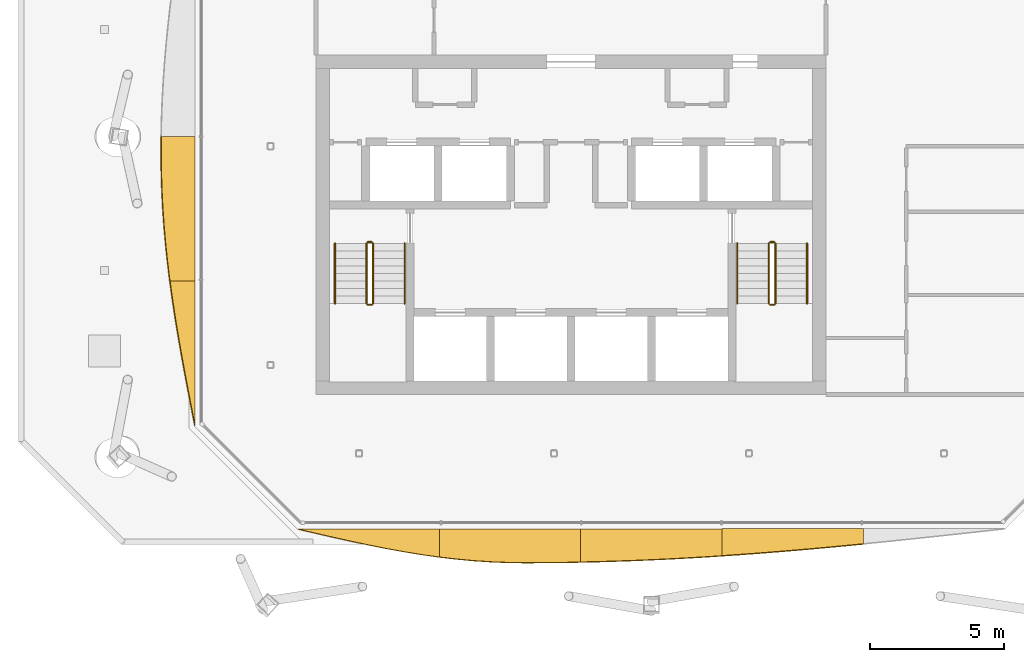
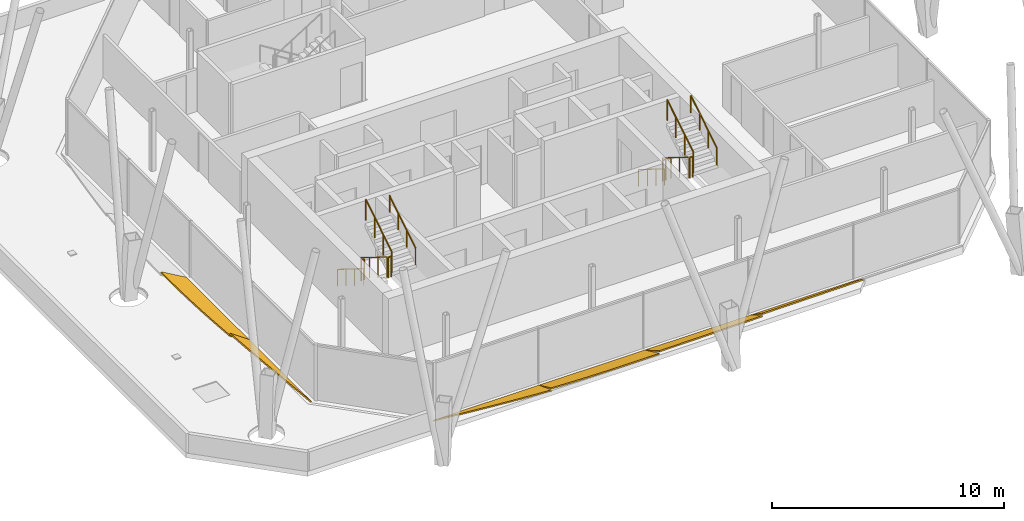
# One storey, part 13 of 17: 12 railings, 6 shading devices.
"""IFC4 building model written with IfcOpenShell, lengths in metres."""

from ifc_helpers import new_model, si_unit, direction, frame, origin, origin_2d, place, context, subcontext, project, spatial, polyline, circle, outline, extrude, material, layer, layer_set, type_object, element, save


model = new_model("IFC4")

# Units and contexts
model_context = context("Model", 3, precision=1e-05, world=origin(), true_north=direction((0.0, 1.0)))
body_context = subcontext(model_context, "Body", "Model", "MODEL_VIEW")
ifc_project = project(units=[si_unit("LENGTHUNIT", "METRE"), si_unit("AREAUNIT", "SQUARE_METRE"), si_unit("VOLUMEUNIT", "CUBIC_METRE"), si_unit("PLANEANGLEUNIT", "RADIAN"), si_unit("MASSUNIT", "GRAM", prefix="KILO")], contexts=[model_context])

# Site, building, storey
site_placement = place(None, origin())
site = spatial("IfcSite", under=ifc_project, at=site_placement, CompositionType="ELEMENT")
building_placement = place(site_placement, origin())
building = spatial("IfcBuilding", under=site, at=building_placement, Name="Tskaro Facet Tower", CompositionType="ELEMENT")
storey_placement = place(building_placement, frame((0.0, 0.0, 259.5)))
storey = spatial("IfcBuildingStorey", under=building, at=storey_placement, Name="L68", CompositionType="ELEMENT", Elevation=259.5)

# Shading devices
ifc_material_1 = material(Name="Bronze anodised aluminium 6063-T6", Category="aluminium")
ifc_layer = layer(ifc_material_1, 0.06005859375, Name="Bronze anodised aluminium 6063-T6")
ifc_layer_set = layer_set([ifc_layer], Name="Bronze anodised aluminium 6063-T6")
shading_device_type = type_object("IfcShadingDeviceType", Name="Bronze sun blade (FN1)", PredefinedType="USERDEFINED", material=ifc_layer_set)
shading_device_1_placement = place(storey_placement, frame((-10.174072265625, -17.0224609375, 0.056396484375), z_axis=(7.520988e-06, 0.341976112983, 0.939708645322), x_axis=(0.999999999972, -2.571998e-06, -7.067537e-06)))
element("IfcShadingDevice", 1, at=shading_device_1_placement, inside=storey, type_object=shading_device_type, Name="Fin blade south 1", ObjectType="FIN", PredefinedType="USERDEFINED", context=body_context, shape_type="SweptSolid", body=[
    extrude(outline(polyline([(0.0, 0.0), (5.269775390475957, 2.2318366902446378e-21), (5.269775390823779, -1.1116870364685456), (4.61108398456418, -1.0124430466665315), (3.9523925774916875, -0.8979099190597327), (3.2934570305537973, -0.7700900026200173), (2.6347656246891957, -0.6302973831512736), (1.9760742186502898, -0.4811602322612787), (1.317382812912024, -0.3249938102398551), (0.6586914066934841, -0.16365453526483884), (0.0, 0.0)])), origin(), (0.0, 0.0, -1.0), 0.06005859375),
])
shading_device_2_placement = place(storey_placement, frame((-4.904296875, -17.017578125, 0.054443359375), z_axis=(-1.8128571e-05, 0.422542522017, 0.906343101016), x_axis=(0.999999999836, 7.660092e-06, 1.6430706e-05)))
element("IfcShadingDevice", 2, at=shading_device_2_placement, inside=storey, type_object=shading_device_type, Name="Fin blade south 2", ObjectType="FIN", PredefinedType="USERDEFINED", context=body_context, shape_type="SweptSolid", body=[
    extrude(outline(polyline([(0.0, 0.0), (5.269531249134097, -4.463466585336137e-21), (5.269531250996332, -1.3627850484360564), (4.6108398430676, -1.375130062014521), (3.9521484369812847, -1.3832125542860423), (3.2934570324662626, -1.3864868151128231), (3.161621094987926, -1.3864868151128231), (2.6347656249411604, -1.3797170182880785), (1.9760742172774413, -1.3527409907845307), (1.3173828113452446, -1.305337457430997), (0.6586914055455543, -1.238273403536457), (-1.4495231449703969e-09, -1.1528615245476874), (0.0, 0.0)])), origin(), (0.0, 0.0, -1.0), 0.06005859375),
])
shading_device_3_placement = place(storey_placement, frame((0.365234375, -17.012939453125, 0.052001953125), z_axis=(9.35306e-06, 0.499957464408, 0.866049960276), x_axis=(0.999999999956, -4.676132e-06, -8.100217e-06)))
element("IfcShadingDevice", 3, at=shading_device_3_placement, inside=storey, type_object=shading_device_type, Name="Fin blade south 3", ObjectType="FIN", PredefinedType="USERDEFINED", context=body_context, shape_type="SweptSolid", body=[
    extrude(outline(polyline([(0.0, 0.0), (5.2695312497695115, 0.0), (5.269531249588777, -1.157779866986116), (4.61083984311103, -1.2065646300665374), (3.9521484361654715, -1.2508678461389262), (3.2934570321770016, -1.2913238291390594), (2.634765624601493, -1.327208887080407), (1.9760742188414404, -1.3590352739709068), (1.3173828134495333, -1.3860466159469422), (0.6586914064481805, -1.4083649729363525), (-1.0209849766844303e-09, -1.4262017829177303), (0.0, 0.0)])), origin(), (0.0, 0.0, -1.0), 0.06005859375),
])
shading_device_4_placement = place(storey_placement, frame((5.634765625, -17.008544921875, 0.049072265625), z_axis=(-1.3465397e-05, 0.573653211014, 0.819098280618), x_axis=(0.999999999909, 7.724468e-06, 1.1029484e-05)))
element("IfcShadingDevice", 4, at=shading_device_4_placement, inside=storey, type_object=shading_device_type, Name="Fin blade south 4", ObjectType="FIN", PredefinedType="USERDEFINED", context=body_context, shape_type="SweptSolid", body=[
    extrude(outline(polyline([(0.0, 0.0), (5.269531249522273, 0.0), (5.269531250608679, -0.683806681174809), (4.610839843096327, -0.761829700502581), (3.952148437207103, -0.8375526582334607), (3.2934570313272284, -0.9102954999281127), (2.6347656254567036, -0.9800582255865369), (1.97607421878864, -1.0465008079890659), (1.3173828113230381, -1.1096232471356995), (0.6586914060247222, -1.1686855654744006), (-8.780207448212262e-10, -1.224087713337539), (0.0, 0.0)])), origin(), (0.0, 0.0, -1.0), 0.06005859375),
])
shading_device_5_placement = place(storey_placement, frame((-14.012939453125, -2.3916015625, 0.052001953125), z_axis=(0.499954656202, 2.719388e-06, 0.866051581452), x_axis=(1.359571e-06, -0.999999999996, 2.355131e-06)))
element("IfcShadingDevice", 5, at=shading_device_5_placement, inside=storey, type_object=shading_device_type, Name="Fin blade west 3", ObjectType="FIN", PredefinedType="USERDEFINED", context=body_context, shape_type="SweptSolid", body=[
    extrude(outline(polyline([(0.0, 0.0), (5.391113281230067, 0.0), (5.391113281529334, -1.0760788448939604), (4.717285156130443, -1.171558006044565), (4.043457031293668, -1.2544709592922016), (3.3693847656648397, -1.323817211787023), (2.6955566406716955, -1.3785068915470406), (2.0217285154461804, -1.4182065009556386), (1.3476562500271478, -1.4424931632640594), (0.6738281248465566, -1.4509113216134504), (0.6467285154716568, -1.4509113216134504), (1.6276412080705874e-10, -1.445339902461269), (0.0, 0.0)])), origin(), (0.0, 0.0, -1.0), 0.06005859375),
])
shading_device_6_placement = place(storey_placement, frame((-14.008544921875, -7.78271484375, 0.049072265625), z_axis=(0.573650559188, 9.245379e-06, 0.81910013787), x_axis=(5.303617e-06, -0.999999999957, 7.572891e-06)))
element("IfcShadingDevice", 6, at=shading_device_6_placement, inside=storey, type_object=shading_device_type, Name="Fin blade west 4", ObjectType="FIN", PredefinedType="USERDEFINED", context=body_context, shape_type="SweptSolid", body=[
    extrude(outline(polyline([(0.0, 0.0), (5.391357421644582, 0.0), (4.717285155893326, -0.16004623640591345), (4.043457032435457, -0.3181324378503567), (3.369628906581046, -0.47275844482461893), (2.6955566399275224, -0.6223042493928932), (2.021728515947284, -0.7651498436193727), (1.3479003912452303, -0.8995950923757408), (0.6738281229802847, -1.0242798875593442), (-3.8262661307345155e-10, -1.1376643484268858), (0.0, 0.0)])), origin(), (0.0, 0.0, -1.0), 0.06005859375),
])

# Railings
ifc_material_2 = material(Name="Stainless steel", Category="steel")
railing_type_1 = type_object("IfcRailingType", Name="RL-GUARD-1100", PredefinedType="GUARDRAIL", material=ifc_material_2)
railing_1_placement = place(storey_placement, frame((-7.625, -6.375, 0.175048828125)))
element("IfcRailing", 7, at=railing_1_placement, inside=storey, type_object=railing_type_1, Name="L68 ST-1 stair guard 1", PredefinedType="GUARDRAIL", context=body_context, shape_type="SweptSolid", body=[
    extrude(circle(Radius=0.02392578125, at=origin_2d()), frame((0.0, 0.0, 1.076171875), z_axis=(0.0, -0.848013881152, 0.529974015752), x_axis=(1.0, 0.0, 0.0)), (0.0, 0.0, 1.0), 2.641357421875),
    extrude(circle(Radius=0.02099609375, at=origin_2d()), origin(), (0.0, 0.0, 1.0), 1.052001953125),
    extrude(circle(Radius=0.02099609375, at=origin_2d()), frame((0.0, -0.74658203125, 0.466552734375)), (0.0, 0.0, 1.0), 1.052001953125),
    extrude(circle(Radius=0.02099609375, at=origin_2d()), frame((0.0, -1.493408203125, 0.933349609375)), (0.0, 0.0, 1.0), 1.052001953125),
    extrude(circle(Radius=0.02099609375, at=origin_2d()), frame((0.0, -2.239990234375, 1.39990234375)), (0.0, 0.0, 1.0), 1.052001953125),
])
railing_2_placement = place(storey_placement, frame((-7.574951171875, -8.6650390625, 1.574951171875)))
element("IfcRailing", 8, at=railing_2_placement, inside=storey, type_object=railing_type_1, Name="L68 ST-1 stair guard 2", PredefinedType="GUARDRAIL", context=body_context, shape_type="SweptSolid", body=[
    extrude(circle(Radius=0.02392578125, at=origin_2d()), frame((0.0, 0.0, 1.076171875), z_axis=(1.0, 0.0, 0.0), x_axis=(0.0, 1.0, 0.0)), (0.0, 0.0, 1.0), 0.14990234375),
    extrude(circle(Radius=0.02099609375, at=origin_2d()), origin(), (0.0, 0.0, 1.0), 1.052001953125),
    extrude(circle(Radius=0.02099609375, at=origin_2d()), frame((0.14990234375, 0.0, 0.0)), (0.0, 0.0, 1.0), 1.052001953125),
])
railing_3_placement = place(storey_placement, frame((-7.375, -8.614990234375, 1.75)))
element("IfcRailing", 9, at=railing_3_placement, inside=storey, type_object=railing_type_1, Name="L68 ST-1 stair guard 3", PredefinedType="GUARDRAIL", context=body_context, shape_type="SweptSolid", body=[
    extrude(circle(Radius=0.02392578125, at=origin_2d()), frame((0.0, 0.0, 1.076171875), z_axis=(0.0, 0.848013881152, 0.529974015752), x_axis=(-1.0, 0.0, 0.0)), (0.0, 0.0, 1.0), 2.641357421875),
    extrude(circle(Radius=0.02099609375, at=origin_2d()), origin(), (0.0, 0.0, 1.0), 1.052001953125),
    extrude(circle(Radius=0.02099609375, at=origin_2d()), frame((0.0, 0.74658203125, 0.466552734375)), (0.0, 0.0, 1.0), 1.052001953125),
    extrude(circle(Radius=0.02099609375, at=origin_2d()), frame((0.0, 1.493408203125, 0.933349609375)), (0.0, 0.0, 1.0), 1.052001953125),
    extrude(circle(Radius=0.02099609375, at=origin_2d()), frame((0.0, 2.239990234375, 1.39990234375)), (0.0, 0.0, 1.0), 1.052001953125),
])
railing_4_placement = place(storey_placement, frame((-7.574951171875, -6.324951171875, 0.0)))
element("IfcRailing", 10, at=railing_4_placement, inside=storey, type_object=railing_type_1, Name="L68 ST-1 stair guard 4", PredefinedType="GUARDRAIL", context=body_context, shape_type="SweptSolid", body=[
    extrude(circle(Radius=0.02392578125, at=origin_2d()), frame((0.0, 0.0, 1.076171875), z_axis=(1.0, 0.0, 0.0), x_axis=(0.0, 1.0, 0.0)), (0.0, 0.0, 1.0), 0.14990234375),
    extrude(circle(Radius=0.02099609375, at=origin_2d()), origin(), (0.0, 0.0, 1.0), 1.052001953125),
    extrude(circle(Radius=0.02099609375, at=origin_2d()), frame((0.14990234375, 0.0, 0.0)), (0.0, 0.0, 1.0), 1.052001953125),
])
railing_5_placement = place(storey_placement, frame((7.375, -6.375, 0.175048828125)))
element("IfcRailing", 11, at=railing_5_placement, inside=storey, type_object=railing_type_1, Name="L68 ST-2 stair guard 1", PredefinedType="GUARDRAIL", context=body_context, shape_type="SweptSolid", body=[
    extrude(circle(Radius=0.02392578125, at=origin_2d()), frame((0.0, 0.0, 1.076171875), z_axis=(0.0, -0.848013881152, 0.529974015752), x_axis=(1.0, 0.0, 0.0)), (0.0, 0.0, 1.0), 2.641357421875),
    extrude(circle(Radius=0.02099609375, at=origin_2d()), origin(), (0.0, 0.0, 1.0), 1.052001953125),
    extrude(circle(Radius=0.02099609375, at=origin_2d()), frame((0.0, -0.74658203125, 0.466552734375)), (0.0, 0.0, 1.0), 1.052001953125),
    extrude(circle(Radius=0.02099609375, at=origin_2d()), frame((0.0, -1.493408203125, 0.933349609375)), (0.0, 0.0, 1.0), 1.052001953125),
    extrude(circle(Radius=0.02099609375, at=origin_2d()), frame((0.0, -2.239990234375, 1.39990234375)), (0.0, 0.0, 1.0), 1.052001953125),
])
railing_6_placement = place(storey_placement, frame((7.425048828125, -8.6650390625, 1.574951171875)))
element("IfcRailing", 12, at=railing_6_placement, inside=storey, type_object=railing_type_1, Name="L68 ST-2 stair guard 2", PredefinedType="GUARDRAIL", context=body_context, shape_type="SweptSolid", body=[
    extrude(circle(Radius=0.02392578125, at=origin_2d()), frame((0.0, 0.0, 1.076171875), z_axis=(1.0, 0.0, 0.0), x_axis=(0.0, 1.0, 0.0)), (0.0, 0.0, 1.0), 0.14990234375),
    extrude(circle(Radius=0.02099609375, at=origin_2d()), origin(), (0.0, 0.0, 1.0), 1.052001953125),
    extrude(circle(Radius=0.02099609375, at=origin_2d()), frame((0.14990234375, 0.0, 0.0)), (0.0, 0.0, 1.0), 1.052001953125),
])
railing_7_placement = place(storey_placement, frame((7.625, -8.614990234375, 1.75)))
element("IfcRailing", 13, at=railing_7_placement, inside=storey, type_object=railing_type_1, Name="L68 ST-2 stair guard 3", PredefinedType="GUARDRAIL", context=body_context, shape_type="SweptSolid", body=[
    extrude(circle(Radius=0.02392578125, at=origin_2d()), frame((0.0, 0.0, 1.076171875), z_axis=(0.0, 0.848013881152, 0.529974015752), x_axis=(-1.0, 0.0, 0.0)), (0.0, 0.0, 1.0), 2.641357421875),
    extrude(circle(Radius=0.02099609375, at=origin_2d()), origin(), (0.0, 0.0, 1.0), 1.052001953125),
    extrude(circle(Radius=0.02099609375, at=origin_2d()), frame((0.0, 0.74658203125, 0.466552734375)), (0.0, 0.0, 1.0), 1.052001953125),
    extrude(circle(Radius=0.02099609375, at=origin_2d()), frame((0.0, 1.493408203125, 0.933349609375)), (0.0, 0.0, 1.0), 1.052001953125),
    extrude(circle(Radius=0.02099609375, at=origin_2d()), frame((0.0, 2.239990234375, 1.39990234375)), (0.0, 0.0, 1.0), 1.052001953125),
])
railing_8_placement = place(storey_placement, frame((7.425048828125, -6.324951171875, 0.0)))
element("IfcRailing", 14, at=railing_8_placement, inside=storey, type_object=railing_type_1, Name="L68 ST-2 stair guard 4", PredefinedType="GUARDRAIL", context=body_context, shape_type="SweptSolid", body=[
    extrude(circle(Radius=0.02392578125, at=origin_2d()), frame((0.0, 0.0, 1.076171875), z_axis=(1.0, 0.0, 0.0), x_axis=(0.0, 1.0, 0.0)), (0.0, 0.0, 1.0), 0.14990234375),
    extrude(circle(Radius=0.02099609375, at=origin_2d()), origin(), (0.0, 0.0, 1.0), 1.052001953125),
    extrude(circle(Radius=0.02099609375, at=origin_2d()), frame((0.14990234375, 0.0, 0.0)), (0.0, 0.0, 1.0), 1.052001953125),
])
railing_type_2 = type_object("IfcRailingType", Name="RL-HANDRAIL-900", PredefinedType="HANDRAIL", material=ifc_material_2)
railing_9_placement = place(storey_placement, frame((-8.800048828125, -6.375, 0.175048828125)))
element("IfcRailing", 15, at=railing_9_placement, inside=storey, type_object=railing_type_2, Name="L68 ST-1 stair handrail 1", PredefinedType="HANDRAIL", context=body_context, shape_type="SweptSolid", body=[
    extrude(circle(Radius=0.02392578125, at=origin_2d()), frame((0.0, 0.0, 0.8759765625), z_axis=(0.0, -0.848013881152, 0.529974015752), x_axis=(1.0, 0.0, 0.0)), (0.0, 0.0, 1.0), 2.641357421875),
    extrude(circle(Radius=0.02099609375, at=origin_2d()), origin(), (0.0, 0.0, 1.0), 0.851806640625),
    extrude(circle(Radius=0.02099609375, at=origin_2d()), frame((0.0, -0.74658203125, 0.466552734375)), (0.0, 0.0, 1.0), 0.851806640625),
    extrude(circle(Radius=0.02099609375, at=origin_2d()), frame((0.0, -1.493408203125, 0.933349609375)), (0.0, 0.0, 1.0), 0.851806640625),
    extrude(circle(Radius=0.02099609375, at=origin_2d()), frame((0.0, -2.239990234375, 1.39990234375)), (0.0, 0.0, 1.0), 0.851806640625),
])
railing_10_placement = place(storey_placement, frame((-6.199951171875, -8.614990234375, 1.75)))
element("IfcRailing", 16, at=railing_10_placement, inside=storey, type_object=railing_type_2, Name="L68 ST-1 stair handrail 2", PredefinedType="HANDRAIL", context=body_context, shape_type="SweptSolid", body=[
    extrude(circle(Radius=0.02392578125, at=origin_2d()), frame((0.0, 0.0, 0.8759765625), z_axis=(0.0, 0.848013881152, 0.529974015752), x_axis=(-1.0, 0.0, 0.0)), (0.0, 0.0, 1.0), 2.641357421875),
    extrude(circle(Radius=0.02099609375, at=origin_2d()), origin(), (0.0, 0.0, 1.0), 0.851806640625),
    extrude(circle(Radius=0.02099609375, at=origin_2d()), frame((0.0, 0.74658203125, 0.466552734375)), (0.0, 0.0, 1.0), 0.851806640625),
    extrude(circle(Radius=0.02099609375, at=origin_2d()), frame((0.0, 1.493408203125, 0.933349609375)), (0.0, 0.0, 1.0), 0.851806640625),
    extrude(circle(Radius=0.02099609375, at=origin_2d()), frame((0.0, 2.239990234375, 1.39990234375)), (0.0, 0.0, 1.0), 0.851806640625),
])
railing_11_placement = place(storey_placement, frame((6.199951171875, -6.375, 0.175048828125)))
element("IfcRailing", 17, at=railing_11_placement, inside=storey, type_object=railing_type_2, Name="L68 ST-2 stair handrail 1", PredefinedType="HANDRAIL", context=body_context, shape_type="SweptSolid", body=[
    extrude(circle(Radius=0.02392578125, at=origin_2d()), frame((0.0, 0.0, 0.8759765625), z_axis=(0.0, -0.848013881152, 0.529974015752), x_axis=(1.0, 0.0, 0.0)), (0.0, 0.0, 1.0), 2.641357421875),
    extrude(circle(Radius=0.02099609375, at=origin_2d()), origin(), (0.0, 0.0, 1.0), 0.851806640625),
    extrude(circle(Radius=0.02099609375, at=origin_2d()), frame((0.0, -0.74658203125, 0.466552734375)), (0.0, 0.0, 1.0), 0.851806640625),
    extrude(circle(Radius=0.02099609375, at=origin_2d()), frame((0.0, -1.493408203125, 0.933349609375)), (0.0, 0.0, 1.0), 0.851806640625),
    extrude(circle(Radius=0.02099609375, at=origin_2d()), frame((0.0, -2.239990234375, 1.39990234375)), (0.0, 0.0, 1.0), 0.851806640625),
])
railing_12_placement = place(storey_placement, frame((8.800048828125, -8.614990234375, 1.75)))
element("IfcRailing", 18, at=railing_12_placement, inside=storey, type_object=railing_type_2, Name="L68 ST-2 stair handrail 2", PredefinedType="HANDRAIL", context=body_context, shape_type="SweptSolid", body=[
    extrude(circle(Radius=0.02392578125, at=origin_2d()), frame((0.0, 0.0, 0.8759765625), z_axis=(0.0, 0.848013881152, 0.529974015752), x_axis=(-1.0, 0.0, 0.0)), (0.0, 0.0, 1.0), 2.641357421875),
    extrude(circle(Radius=0.02099609375, at=origin_2d()), origin(), (0.0, 0.0, 1.0), 0.851806640625),
    extrude(circle(Radius=0.02099609375, at=origin_2d()), frame((0.0, 0.74658203125, 0.466552734375)), (0.0, 0.0, 1.0), 0.851806640625),
    extrude(circle(Radius=0.02099609375, at=origin_2d()), frame((0.0, 1.493408203125, 0.933349609375)), (0.0, 0.0, 1.0), 0.851806640625),
    extrude(circle(Radius=0.02099609375, at=origin_2d()), frame((0.0, 2.239990234375, 1.39990234375)), (0.0, 0.0, 1.0), 0.851806640625),
])

save(model, "model.ifc")
